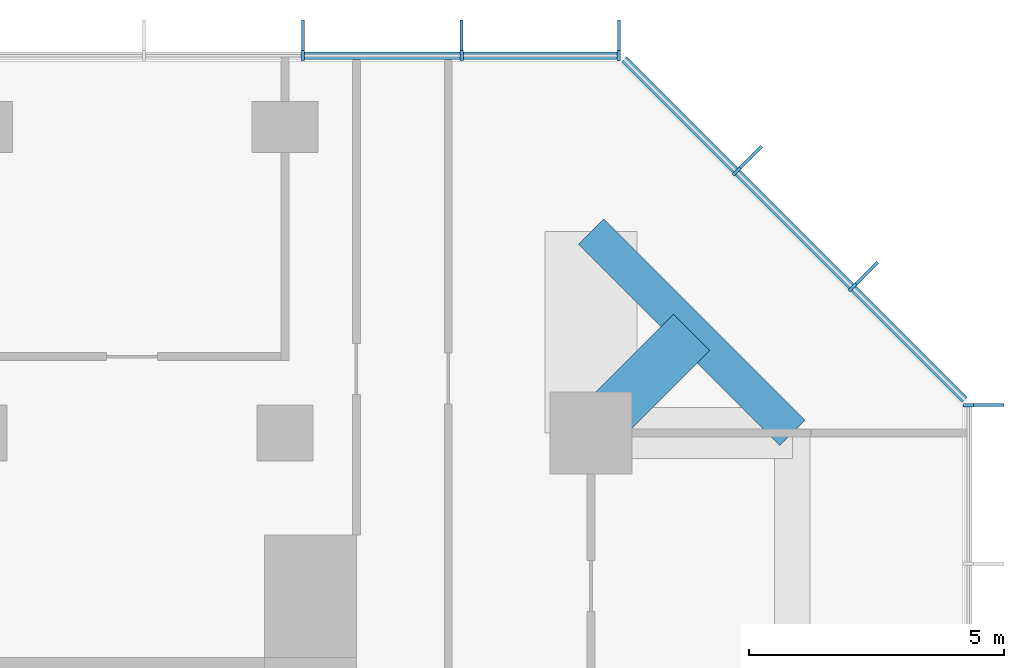
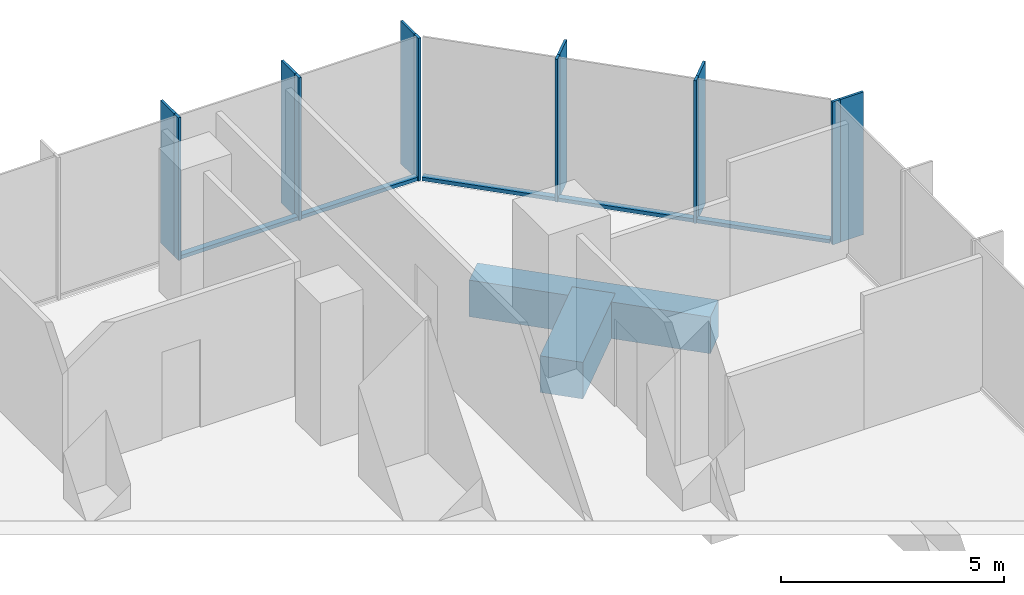
# One storey, part 6 of 10: 17 members, 2 beams, 3 elements without a shape of their own.
"""IFC4 building model written with IfcOpenShell, lengths in metres."""

from ifc_helpers import new_model, si_unit, direction, frame, origin, origin_2d, place, context, subcontext, project, spatial, rectangle, extrude, material, layer, layer_set, material_profile, profile_set, type_object, element, aggregate, save


model = new_model("IFC4")

# Units and contexts
model_context = context("Model", 3, precision=1e-05, world=origin(), true_north=direction((0.0, 1.0)))
body_context = subcontext(model_context, "Body", "Model", "MODEL_VIEW")
ifc_project = project(units=[si_unit("LENGTHUNIT", "METRE"), si_unit("AREAUNIT", "SQUARE_METRE"), si_unit("VOLUMEUNIT", "CUBIC_METRE"), si_unit("PLANEANGLEUNIT", "RADIAN"), si_unit("MASSUNIT", "GRAM", prefix="KILO")], contexts=[model_context])

# Site, building, storey
site_placement = place(None, origin())
site = spatial("IfcSite", under=ifc_project, at=site_placement, CompositionType="ELEMENT")
building_placement = place(site_placement, origin())
building = spatial("IfcBuilding", under=site, at=building_placement, Name="Highveld Stack Headquarters", CompositionType="ELEMENT")
storey_placement = place(building_placement, frame((0.0, 0.0, 248.89990234375)))
storey = spatial("IfcBuildingStorey", under=building, at=storey_placement, Name="L61", CompositionType="ELEMENT", Elevation=248.89990234375)

# Beam
ifc_material_1 = material(Name="Concrete C60/75", Category="concrete")
ifc_material_profile_1 = material_profile(ifc_material_1, rectangle(XDim=1.0, YDim=1.0, at=origin_2d()), Name="RC 1000x1000")
ifc_profile_set_1 = profile_set([ifc_material_profile_1], Name="Concrete C60/75")
beam_type_1 = type_object("IfcBeamType", Name="CANTILEVER RIB RC 1000x1000", PredefinedType="USERDEFINED", material=ifc_profile_set_1)
beam_1_placement = place(storey_placement, frame((24.0, 18.0, -0.75), z_axis=(0.707106781187, 0.707106781187, 0.0), x_axis=(-0.707106781187, 0.707106781187, 0.0)))
element("IfcBeam", 1, at=beam_1_placement, inside=storey, type_object=beam_type_1, Name="Cantilever rib 10/H L61", ObjectType="CANTILEVER RIB", PredefinedType="USERDEFINED", context=body_context, shape_type="SweptSolid", body=[
    extrude(rectangle(XDim=1.0, YDim=1.0, at=origin_2d()), origin(), (0.0, 0.0, 1.0), 2.793212890625),
])

# Curtain wall, member
ifc_material_2 = material(Name="Aluminium bronze anodised", Category="aluminium")
ifc_layer = layer(ifc_material_2, 0.199951171875)
ifc_layer_set = layer_set([ifc_layer], Name="Aluminium bronze anodised")
curtain_wall_type = type_object("IfcCurtainWallType", Name="CW5 EXECUTIVE UNITISED CURTAIN WALL", PredefinedType="NOTDEFINED", material=ifc_layer_set)
curtain_wall_1_placement = place(storey_placement, origin())
curtain_wall_1 = element("IfcCurtainWall", 2, at=curtain_wall_1_placement, inside=storey, type_object=curtain_wall_type, Name="Curtain wall CW5 L61 E", PredefinedType="NOTDEFINED")
ifc_material_3 = material(Name="Aluminium bronze anodised", Category="aluminium")
ifc_material_profile_2 = material_profile(ifc_material_3, rectangle(XDim=0.60009765625, YDim=0.06005859375, at=origin_2d()), Name="FIN 600x60")
ifc_profile_set_2 = profile_set([ifc_material_profile_2], Name="Aluminium bronze anodised")
member_type_1 = type_object("IfcMemberType", Name="CW5 BRONZE FIN 600x60", PredefinedType="USERDEFINED", material=ifc_profile_set_2)
member_1_placement = place(storey_placement, frame((31.800048828125, 18.54736328125, 0.0), z_axis=(0.0, 0.0, 1.0), x_axis=(-1.0, 0.0, 0.0)))
member_1 = element("IfcMember", 3, at=member_1_placement, type_object=member_type_1, Name="CW5 fin L61 9", ObjectType="FIN", PredefinedType="USERDEFINED", context=body_context, shape_type="SweptSolid", body=[
    extrude(rectangle(XDim=0.60009765625, YDim=0.06005859375, at=origin_2d()), origin(), (0.0, 0.0, 1.0), 3.900146484375),
])

# Curtain wall, members
curtain_wall_2_placement = place(storey_placement, origin())
curtain_wall_2 = element("IfcCurtainWall", 4, at=curtain_wall_2_placement, inside=storey, type_object=curtain_wall_type, Name="Curtain wall CW5 L61 NE", PredefinedType="NOTDEFINED")
member_2_placement = place(storey_placement, frame((29.409423828125, 21.135986328125, 0.0), z_axis=(0.0, 0.0, 1.0), x_axis=(-0.707106781187, -0.707106781187, 0.0)))
member_2 = element("IfcMember", 5, at=member_2_placement, type_object=member_type_1, Name="CW5 fin L61 1", ObjectType="FIN", PredefinedType="USERDEFINED", context=body_context, shape_type="SweptSolid", body=[
    extrude(rectangle(XDim=0.60009765625, YDim=0.06005859375, at=origin_2d()), origin(), (0.0, 0.0, 1.0), 3.900146484375),
])
member_3_placement = place(storey_placement, frame((27.135986328125, 23.409423828125, 0.0), z_axis=(0.0, 0.0, 1.0), x_axis=(-0.707106781187, -0.707106781187, 0.0)))
member_3 = element("IfcMember", 6, at=member_3_placement, type_object=member_type_1, Name="CW5 fin L61 2", ObjectType="FIN", PredefinedType="USERDEFINED", context=body_context, shape_type="SweptSolid", body=[
    extrude(rectangle(XDim=0.60009765625, YDim=0.06005859375, at=origin_2d()), origin(), (0.0, 0.0, 1.0), 3.900146484375),
])

curtain_wall_3_placement = place(storey_placement, origin())
curtain_wall_3 = element("IfcCurtainWall", 7, at=curtain_wall_3_placement, inside=storey, type_object=curtain_wall_type, Name="Curtain wall CW5 L61 N", PredefinedType="NOTDEFINED")
member_4_placement = place(storey_placement, frame((24.54736328125, 25.800048828125, 0.0), z_axis=(0.0, 0.0, 1.0), x_axis=(0.0, -1.0, 0.0)))
member_4 = element("IfcMember", 8, at=member_4_placement, type_object=member_type_1, Name="CW5 fin L61 1", ObjectType="FIN", PredefinedType="USERDEFINED", context=body_context, shape_type="SweptSolid", body=[
    extrude(rectangle(XDim=0.60009765625, YDim=0.06005859375, at=origin_2d()), origin(), (0.0, 0.0, 1.0), 3.900146484375),
])
member_5_placement = place(storey_placement, frame((21.4638671875, 25.800048828125, 0.0), z_axis=(0.0, 0.0, 1.0), x_axis=(0.0, -1.0, 0.0)))
member_5 = element("IfcMember", 9, at=member_5_placement, type_object=member_type_1, Name="CW5 fin L61 2", ObjectType="FIN", PredefinedType="USERDEFINED", context=body_context, shape_type="SweptSolid", body=[
    extrude(rectangle(XDim=0.60009765625, YDim=0.06005859375, at=origin_2d()), origin(), (0.0, 0.0, 1.0), 3.900146484375),
])
member_6_placement = place(storey_placement, frame((18.347900390625, 25.800048828125, 0.0), z_axis=(0.0, 0.0, 1.0), x_axis=(0.0, -1.0, 0.0)))
member_6 = element("IfcMember", 10, at=member_6_placement, type_object=member_type_1, Name="CW5 fin L61 3", ObjectType="FIN", PredefinedType="USERDEFINED", context=body_context, shape_type="SweptSolid", body=[
    extrude(rectangle(XDim=0.60009765625, YDim=0.06005859375, at=origin_2d()), origin(), (0.0, 0.0, 1.0), 3.900146484375),
])

# Member
ifc_material_4 = material(Name="Aluminium bronze anodised", Category="aluminium")
ifc_material_profile_3 = material_profile(ifc_material_4, rectangle(XDim=0.199951171875, YDim=0.06494140625, at=origin_2d()), Name="CW5 MULLION 65x200")
ifc_profile_set_3 = profile_set([ifc_material_profile_3], Name="Aluminium bronze anodised")
member_type_2 = type_object("IfcMemberType", Name="CW5 MULLION 65x200", PredefinedType="MULLION", material=ifc_profile_set_3)
member_7_placement = place(storey_placement, frame((31.39990234375, 18.54736328125, 0.0), z_axis=(0.0, 0.0, 1.0), x_axis=(-1.0, 0.0, 0.0)))
member_7 = element("IfcMember", 11, at=member_7_placement, type_object=member_type_2, Name="CW5 mullion L61 9", PredefinedType="MULLION", context=body_context, shape_type="SweptSolid", body=[
    extrude(rectangle(XDim=0.199951171875, YDim=0.06494140625, at=origin_2d()), origin(), (0.0, 0.0, 1.0), 3.900146484375),
])

aggregate(curtain_wall_1, [member_7, member_1])

member_8_placement = place(storey_placement, frame((29.126708984375, 20.853271484375, 0.0), z_axis=(0.0, 0.0, 1.0), x_axis=(-0.707106781187, -0.707106781187, 0.0)))
member_8 = element("IfcMember", 12, at=member_8_placement, type_object=member_type_2, Name="CW5 mullion L61 1", PredefinedType="MULLION", context=body_context, shape_type="SweptSolid", body=[
    extrude(rectangle(XDim=0.199951171875, YDim=0.06494140625, at=origin_2d()), origin(), (0.0, 0.0, 1.0), 3.900146484375),
])

member_9_placement = place(storey_placement, frame((26.853271484375, 23.126708984375, 0.0), z_axis=(0.0, 0.0, 1.0), x_axis=(-0.707106781187, -0.707106781187, 0.0)))
member_9 = element("IfcMember", 13, at=member_9_placement, type_object=member_type_2, Name="CW5 mullion L61 2", PredefinedType="MULLION", context=body_context, shape_type="SweptSolid", body=[
    extrude(rectangle(XDim=0.199951171875, YDim=0.06494140625, at=origin_2d()), origin(), (0.0, 0.0, 1.0), 3.900146484375),
])

member_10_placement = place(storey_placement, frame((24.54736328125, 25.39990234375, 0.0), z_axis=(0.0, 0.0, 1.0), x_axis=(0.0, -1.0, 0.0)))
member_10 = element("IfcMember", 14, at=member_10_placement, type_object=member_type_2, Name="CW5 mullion L61 1", PredefinedType="MULLION", context=body_context, shape_type="SweptSolid", body=[
    extrude(rectangle(XDim=0.199951171875, YDim=0.06494140625, at=origin_2d()), origin(), (0.0, 0.0, 1.0), 3.900146484375),
])

member_11_placement = place(storey_placement, frame((21.4638671875, 25.39990234375, 0.0), z_axis=(0.0, 0.0, 1.0), x_axis=(0.0, -1.0, 0.0)))
member_11 = element("IfcMember", 15, at=member_11_placement, type_object=member_type_2, Name="CW5 mullion L61 2", PredefinedType="MULLION", context=body_context, shape_type="SweptSolid", body=[
    extrude(rectangle(XDim=0.199951171875, YDim=0.06494140625, at=origin_2d()), origin(), (0.0, 0.0, 1.0), 3.900146484375),
])

member_12_placement = place(storey_placement, frame((18.347900390625, 25.39990234375, 0.0), z_axis=(0.0, 0.0, 1.0), x_axis=(0.0, -1.0, 0.0)))
member_12 = element("IfcMember", 16, at=member_12_placement, type_object=member_type_2, Name="CW5 mullion L61 3", PredefinedType="MULLION", context=body_context, shape_type="SweptSolid", body=[
    extrude(rectangle(XDim=0.199951171875, YDim=0.06494140625, at=origin_2d()), origin(), (0.0, 0.0, 1.0), 3.900146484375),
])

ifc_material_5 = material(Name="Aluminium bronze anodised", Category="aluminium")
ifc_material_profile_4 = material_profile(ifc_material_5, rectangle(XDim=0.14990234375, YDim=0.10009765625, at=origin_2d()), Name="CW5 TRANSOM 150x100")
ifc_profile_set_4 = profile_set([ifc_material_profile_4], Name="Aluminium bronze anodised")
member_type_3 = type_object("IfcMemberType", Name="CW5 STACK TRANSOM 150x100", PredefinedType="USERDEFINED", material=ifc_profile_set_4)
member_13_placement = place(storey_placement, frame((31.329345703125, 18.650634765625, 0.050048828125), z_axis=(-0.707106781187, 0.707106781187, 0.0), x_axis=(-0.707106781187, -0.707106781187, 0.0)))
member_13 = element("IfcMember", 17, at=member_13_placement, type_object=member_type_3, Name="CW5 transom L61 1.1", ObjectType="TRANSOM", PredefinedType="USERDEFINED", context=body_context, shape_type="SweptSolid", body=[
    extrude(rectangle(XDim=0.14990234375, YDim=0.10009765625, at=origin_2d()), origin(), (0.0, 0.0, 1.0), 3.08251953125),
])

member_14_placement = place(storey_placement, frame((29.103759765625, 20.876220703125, 0.050048828125), z_axis=(-0.707106781187, 0.707106781187, 0.0), x_axis=(-0.707106781187, -0.707106781187, 0.0)))
member_14 = element("IfcMember", 18, at=member_14_placement, type_object=member_type_3, Name="CW5 transom L61 2.1", ObjectType="TRANSOM", PredefinedType="USERDEFINED", context=body_context, shape_type="SweptSolid", body=[
    extrude(rectangle(XDim=0.14990234375, YDim=0.10009765625, at=origin_2d()), origin(), (0.0, 0.0, 1.0), 3.150146484375),
])

member_15_placement = place(storey_placement, frame((26.830322265625, 23.149658203125, 0.050048828125), z_axis=(-0.707106781187, 0.707106781187, 0.0), x_axis=(-0.707106781187, -0.707106781187, 0.0)))
member_15 = element("IfcMember", 19, at=member_15_placement, type_object=member_type_3, Name="CW5 transom L61 3.1", ObjectType="TRANSOM", PredefinedType="USERDEFINED", context=body_context, shape_type="SweptSolid", body=[
    extrude(rectangle(XDim=0.14990234375, YDim=0.10009765625, at=origin_2d()), origin(), (0.0, 0.0, 1.0), 3.08251953125),
])

aggregate(curtain_wall_2, [member_8, member_2, member_9, member_3, member_13, member_14, member_15])

member_16_placement = place(storey_placement, frame((24.514892578125, 25.39990234375, 0.050048828125), z_axis=(-1.0, 0.0, 0.0), x_axis=(0.0, -1.0, 0.0)))
member_16 = element("IfcMember", 20, at=member_16_placement, type_object=member_type_3, Name="CW5 transom L61 1.1", ObjectType="TRANSOM", PredefinedType="USERDEFINED", context=body_context, shape_type="SweptSolid", body=[
    extrude(rectangle(XDim=0.14990234375, YDim=0.10009765625, at=origin_2d()), origin(), (0.0, 0.0, 1.0), 3.0185546875),
])

member_17_placement = place(storey_placement, frame((21.431396484375, 25.39990234375, 0.050048828125), z_axis=(-1.0, 0.0, 0.0), x_axis=(0.0, -1.0, 0.0)))
member_17 = element("IfcMember", 21, at=member_17_placement, type_object=member_type_3, Name="CW5 transom L61 2.1", ObjectType="TRANSOM", PredefinedType="USERDEFINED", context=body_context, shape_type="SweptSolid", body=[
    extrude(rectangle(XDim=0.14990234375, YDim=0.10009765625, at=origin_2d()), origin(), (0.0, 0.0, 1.0), 3.051025390625),
])

aggregate(curtain_wall_3, [member_10, member_4, member_11, member_5, member_12, member_6, member_16, member_17])

# Beam
ifc_material_6 = material(Name="Concrete C60/75", Category="concrete")
ifc_material_profile_5 = material_profile(ifc_material_6, rectangle(XDim=0.699951171875, YDim=1.0, at=origin_2d()), Name="RC 700x1000")
ifc_profile_set_5 = profile_set([ifc_material_profile_5], Name="Concrete C60/75")
beam_type_2 = type_object("IfcBeamType", Name="RIB TIP BEAM RC 700x1000", PredefinedType="SPANDREL", material=ifc_profile_set_5)
beam_2_placement = place(storey_placement, frame((27.949951171875, 18.0, -0.75), z_axis=(-0.707106781187, 0.707106781187, 0.0), x_axis=(-0.707106781187, -0.707106781187, 0.0)))
element("IfcBeam", 22, at=beam_2_placement, inside=storey, type_object=beam_type_2, Name="Rib tip beam 10/H corner L61", PredefinedType="SPANDREL", context=body_context, shape_type="SweptSolid", body=[
    extrude(rectangle(XDim=0.699951171875, YDim=1.0, at=origin_2d()), origin(), (0.0, 0.0, 1.0), 5.586181640625),
])

save(model, "model.ifc")
